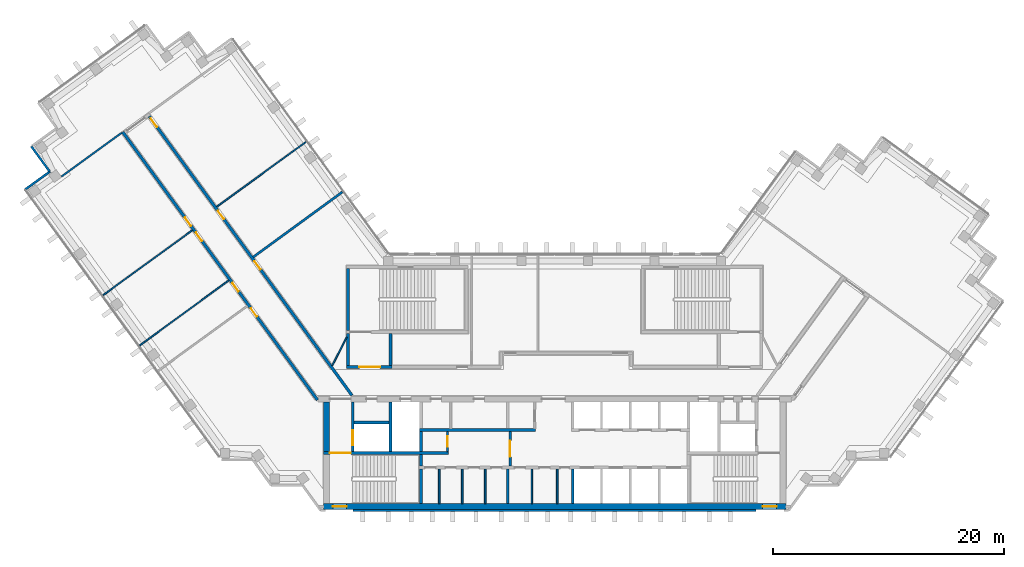
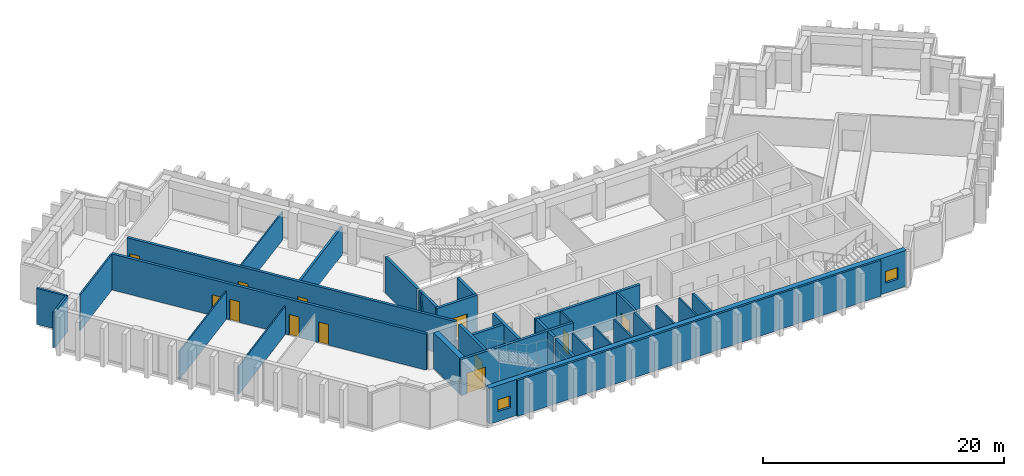
# One storey, part 4 of 9: 34 walls, 12 doors, 2 windows, 14 openings.
"""IFC4 building model written with IfcOpenShell, lengths in metres."""

from ifc_helpers import new_model, si_unit, direction, frame, frame_2d, origin, place, context, subcontext, project, spatial, rectangle, extrude, material, layer, layer_set, type_object, element, fill, save


model = new_model("IFC4")

# Units and contexts
model_context = context("Model", 3, precision=1e-05, world=origin(), true_north=direction((0.0, 1.0)))
body_context = subcontext(model_context, "Body", "Model", "MODEL_VIEW")
ifc_project = project(units=[si_unit("LENGTHUNIT", "METRE"), si_unit("AREAUNIT", "SQUARE_METRE"), si_unit("VOLUMEUNIT", "CUBIC_METRE"), si_unit("PLANEANGLEUNIT", "RADIAN"), si_unit("MASSUNIT", "GRAM", prefix="KILO")], contexts=[model_context])

# Site, building, storey
site_placement = place(None, origin())
site = spatial("IfcSite", under=ifc_project, at=site_placement, CompositionType="ELEMENT")
building_placement = place(site_placement, origin())
building = spatial("IfcBuilding", under=site, at=building_placement, Name="Quipu Civic Tower", CompositionType="ELEMENT")
storey_placement = place(building_placement, frame((0.0, 0.0, 194.0)))
storey = spatial("IfcBuildingStorey", under=building, at=storey_placement, Name="L45", CompositionType="ELEMENT", Elevation=194.0)

# Walls
ifc_material_1 = material(Name="Double gypsum plasterboard with mineral wool")
ifc_layer_1 = layer(ifc_material_1, 0.14990234375)
ifc_layer_set_1 = layer_set([ifc_layer_1], Name="Double gypsum plasterboard with mineral wool")
wall_type_1 = type_object("IfcWallType", Name="Acoustic partition 150 plasterboard", PredefinedType="PARTITIONING", material=ifc_layer_set_1)
wall_1_placement = place(storey_placement, frame((-42.69775390625, 17.809814453125, 0.0), z_axis=(0.0, 0.0, 1.0), x_axis=(0.80901688725, 0.587785399737, 0.0)))
element("IfcWall", 1, at=wall_1_placement, inside=storey, type_object=wall_type_1, Name="Partition P11", PredefinedType="PARTITIONING", context=body_context, shape_type="SweptSolid", body=[
    extrude(rectangle(XDim=6.464599609375, YDim=0.14990234375, at=frame_2d((3.232421875, 0.0))), origin(), (0.0, 0.0, 1.0), 3.64990234375),
])
ifc_material_2 = material(Name="Fired clay blockwork", Category="masonry")
ifc_layer_2 = layer(ifc_material_2, 0.199951171875)
ifc_layer_set_2 = layer_set([ifc_layer_2], Name="Fired clay blockwork")
wall_type_2 = type_object("IfcWallType", Name="Blockwork wall 200", PredefinedType="SOLIDWALL", material=ifc_layer_set_2)
wall_2_placement = place(storey_placement, frame((-26.089111328125, 10.847900390625, 0.0), z_axis=(0.0, 0.0, 1.0), x_axis=(0.807661302092, 0.589646691759, 0.0)))
element("IfcWall", 2, at=wall_2_placement, inside=storey, type_object=wall_type_2, Name="Partition P04", PredefinedType="SOLIDWALL", context=body_context, shape_type="SweptSolid", body=[
    extrude(rectangle(XDim=9.550048828125, YDim=0.199951171875, at=frame_2d((4.77490234375, 0.0))), origin(), (0.0, 0.0, 1.0), 2.85009765625),
])
ifc_material_3 = material(Name="Concrete C70/85", Category="concrete")
ifc_layer_3 = layer(ifc_material_3, 0.25)
ifc_layer_set_3 = layer_set([ifc_layer_3], Name="Concrete C70/85")
wall_type_3 = type_object("IfcWallType", Name="Core wall 250", PredefinedType="SHEAR", material=ifc_layer_set_3)
wall_3_placement = place(storey_placement, frame((-11.574951171875, -10.5, 0.0), z_axis=(0.0, 0.0, 1.0), x_axis=(0.0, 1.0, 0.0)))
element("IfcWall", 3, at=wall_3_placement, inside=storey, type_object=wall_type_3, Name="Core wall", PredefinedType="SHEAR", context=body_context, shape_type="SweptSolid", body=[
    extrude(rectangle(XDim=3.0, YDim=0.25, at=frame_2d((1.5, 0.0))), origin(), (0.0, 0.0, 1.0), 3.64990234375),
])
wall_4_placement = place(storey_placement, frame((-11.574951171875, -7.25, 0.0), z_axis=(0.0, 0.0, 1.0), x_axis=(0.0, 1.0, 0.0)))
element("IfcWall", 4, at=wall_4_placement, inside=storey, type_object=wall_type_3, Name="Core wall", PredefinedType="SHEAR", context=body_context, shape_type="SweptSolid", body=[
    extrude(rectangle(XDim=1.0, YDim=0.25, at=frame_2d((0.5, 0.0))), origin(), (0.0, 0.0, 1.0), 3.64990234375),
])

# Wall, opening, door
wall_5_placement = place(storey_placement, frame((-9.199951171875, -6.125, 0.0), z_axis=(0.0, 0.0, 1.0), x_axis=(-1.0, 0.0, 0.0)))
wall_5 = element("IfcWall", 5, at=wall_5_placement, inside=storey, type_object=wall_type_3, Name="Core wall", PredefinedType="SHEAR", context=body_context, shape_type="SweptSolid", body=[
    extrude(rectangle(XDim=10.800048828125, YDim=0.25, at=frame_2d((5.39990234375, 0.0))), origin(), (0.0, 0.0, 1.0), 3.64990234375),
])
opening_1_placement = place(wall_5_placement, frame((8.449951171875, 0.0, 0.0)))
opening_1 = element("IfcOpeningElement", 6, at=opening_1_placement, cuts=wall_5, Name="Opening CD-08", PredefinedType="OPENING", context=body_context, shape_type="SweptSolid", body=[
    extrude(rectangle(XDim=1.800048828125, YDim=2.10009765625, at=frame_2d((0.89990234375, 1.050048828125))), frame((0.0, 0.135009765625, 0.0), z_axis=(0.0, -1.0, 0.0), x_axis=(1.0, 0.0, 0.0)), (0.0, 0.0, 1.0), 0.27001953125),
])
ifc_material_4 = material(Name="Fire rated steel door", Category="steel")
door_type_1 = type_object("IfcDoorType", Name="Fire door FD90 double 1800 x 2100", OperationType="NOTDEFINED", PredefinedType="DOOR", material=ifc_material_4)
door_1_placement = place(opening_1_placement, origin())
door_1 = element("IfcDoor", 7, at=door_1_placement, inside=storey, type_object=door_type_1, Name="Door", OperationType="DOUBLE_DOOR_SINGLE_SWING", OverallHeight=2.10009765625, OverallWidth=1.800048828125, PredefinedType="DOOR", context=body_context, shape_type="SweptSolid", body=[
    extrude(rectangle(XDim=1.800048828125, YDim=2.10009765625, at=frame_2d((0.89990234375, 1.050048828125))), frame((0.0, 0.02490234375, 0.0), z_axis=(0.0, -1.0, 0.0), x_axis=(1.0, 0.0, 0.0)), (0.0, 0.0, 1.0), 0.050048828125),
])
fill(opening_1, door_1)

wall_6_placement = place(storey_placement, frame((-17.47509765625, -6.0, 0.0), z_axis=(0.0, 0.0, 1.0), x_axis=(0.0, 1.0, 0.0)))
wall_6 = element("IfcWall", 8, at=wall_6_placement, inside=storey, type_object=wall_type_3, Name="Core wall", PredefinedType="SHEAR", context=body_context, shape_type="SweptSolid", body=[
    extrude(rectangle(XDim=4.300048828125, YDim=0.25, at=frame_2d((2.14990234375, 0.0))), origin(), (0.0, 0.0, 1.0), 3.64990234375),
])
opening_2_placement = place(wall_6_placement, frame((0.550048828125, 0.0, 0.0)))
opening_2 = element("IfcOpeningElement", 9, at=opening_2_placement, cuts=wall_6, Name="Opening LD-FF1", PredefinedType="OPENING", context=body_context, shape_type="SweptSolid", body=[
    extrude(rectangle(XDim=1.300048828125, YDim=2.10009765625, at=frame_2d((0.64990234375, 1.050048828125))), frame((0.0, 0.135009765625, 0.0), z_axis=(0.0, -1.0, 0.0), x_axis=(1.0, 0.0, 0.0)), (0.0, 0.0, 1.0), 0.27001953125),
])
ifc_material_5 = material(Name="Stainless steel", Category="steel")
door_type_2 = type_object("IfcDoorType", Name="Lift landing door 1300 x 2100", OperationType="DOUBLE_DOOR_SLIDING", PredefinedType="DOOR", material=ifc_material_5)
door_2_placement = place(opening_2_placement, origin())
door_2 = element("IfcDoor", 10, at=door_2_placement, inside=storey, type_object=door_type_2, Name="Landing door FF1", OperationType="DOUBLE_DOOR_SLIDING", OverallHeight=2.10009765625, OverallWidth=1.300048828125, PredefinedType="DOOR", context=body_context, shape_type="SweptSolid", body=[
    extrude(rectangle(XDim=1.300048828125, YDim=2.10009765625, at=frame_2d((0.64990234375, 1.050048828125))), frame((0.0, 0.02490234375, 0.0), z_axis=(0.0, -1.0, 0.0), x_axis=(1.0, 0.0, 0.0)), (0.0, 0.0, 1.0), 0.050048828125),
])
fill(opening_2, door_2)

# Walls
wall_7_placement = place(storey_placement, frame((-14.22509765625, -6.0, 0.0), z_axis=(0.0, 0.0, 1.0), x_axis=(0.0, 1.0, 0.0)))
element("IfcWall", 11, at=wall_7_placement, inside=storey, type_object=wall_type_3, Name="Core wall", PredefinedType="SHEAR", context=body_context, shape_type="SweptSolid", body=[
    extrude(rectangle(XDim=4.300048828125, YDim=0.25, at=frame_2d((2.14990234375, 0.0))), origin(), (0.0, 0.0, 1.0), 3.64990234375),
])
wall_8_placement = place(storey_placement, frame((-11.574951171875, -6.0, 0.0), z_axis=(0.0, 0.0, 1.0), x_axis=(0.0, 1.0, 0.0)))
element("IfcWall", 12, at=wall_8_placement, inside=storey, type_object=wall_type_3, Name="Core wall", PredefinedType="SHEAR", context=body_context, shape_type="SweptSolid", body=[
    extrude(rectangle(XDim=1.75, YDim=0.25, at=frame_2d((0.875, 0.0))), origin(), (0.0, 0.0, 1.0), 3.64990234375),
])
wall_9_placement = place(storey_placement, frame((-11.699951171875, -4.125, 0.0), z_axis=(0.0, 0.0, 1.0), x_axis=(1.0, 0.0, 0.0)))
element("IfcWall", 13, at=wall_9_placement, inside=storey, type_object=wall_type_3, Name="Core wall", PredefinedType="SHEAR", context=body_context, shape_type="SweptSolid", body=[
    extrude(rectangle(XDim=10.050048828125, YDim=0.25, at=frame_2d((5.02490234375, 0.0))), origin(), (0.0, 0.0, 1.0), 3.64990234375),
])
wall_10_placement = place(storey_placement, frame((-17.35009765625, -3.47509765625, 0.0), z_axis=(0.0, 0.0, 1.0), x_axis=(1.0, 0.0, 0.0)))
element("IfcWall", 14, at=wall_10_placement, inside=storey, type_object=wall_type_3, Name="Core wall", PredefinedType="SHEAR", context=body_context, shape_type="SweptSolid", body=[
    extrude(rectangle(XDim=3.0, YDim=0.25, at=frame_2d((1.5, 0.0))), origin(), (0.0, 0.0, 1.0), 3.64990234375),
])

# Wall, opening, door
wall_11_placement = place(storey_placement, frame((-18.0, 1.324951171875, 0.0), z_axis=(0.0, 0.0, 1.0), x_axis=(1.0, 0.0, 0.0)))
wall_11 = element("IfcWall", 15, at=wall_11_placement, inside=storey, type_object=wall_type_3, Name="Core wall", PredefinedType="SHEAR", context=body_context, shape_type="SweptSolid", body=[
    extrude(rectangle(XDim=3.89990234375, YDim=0.25, at=frame_2d((1.949951171875, 0.0))), origin(), (0.0, 0.0, 1.0), 3.64990234375),
])
opening_3_placement = place(wall_11_placement, frame((1.10009765625, 0.0, 0.0)))
opening_3 = element("IfcOpeningElement", 16, at=opening_3_placement, cuts=wall_11, Name="Opening CD-23", PredefinedType="OPENING", context=body_context, shape_type="SweptSolid", body=[
    extrude(rectangle(XDim=1.800048828125, YDim=2.10009765625, at=frame_2d((0.89990234375, 1.050048828125))), frame((0.0, 0.135009765625, 0.0), z_axis=(0.0, -1.0, 0.0), x_axis=(1.0, 0.0, 0.0)), (0.0, 0.0, 1.0), 0.27001953125),
])
door_3_placement = place(opening_3_placement, origin())
door_3 = element("IfcDoor", 17, at=door_3_placement, inside=storey, type_object=door_type_1, Name="Lobby door", OperationType="DOUBLE_DOOR_SINGLE_SWING", OverallHeight=2.10009765625, OverallWidth=1.800048828125, PredefinedType="DOOR", context=body_context, shape_type="SweptSolid", body=[
    extrude(rectangle(XDim=1.800048828125, YDim=2.10009765625, at=frame_2d((0.89990234375, 1.050048828125))), frame((0.0, 0.02490234375, 0.0), z_axis=(0.0, -1.0, 0.0), x_axis=(1.0, 0.0, 0.0)), (0.0, 0.0, 1.0), 0.050048828125),
])
fill(opening_3, door_3)

# Walls
for number, where, z_axis, x_axis, name in (
    (18, (-17.875, 1.449951171875, 0.0), (0.0, 0.0, 1.0), (0.0, 1.0, 0.0), "Core wall"),
    (19, (-14.22509765625, 1.449951171875, 0.0), (0.0, 0.0, 1.0), (0.0, 1.0, 0.0), "Core wall"),
):
    element("IfcWall", number, at=place(storey_placement, frame(where, z_axis=z_axis, x_axis=x_axis)), inside=storey, type_object=wall_type_3, Name=name, PredefinedType="SHEAR", context=body_context, shape_type="SweptSolid", body=[
        extrude(rectangle(XDim=2.800048828125, YDim=0.25, at=frame_2d((1.39990234375, 0.0))), origin(), (0.0, 0.0, 1.0), 3.64990234375),
    ])
wall_12_placement = place(storey_placement, frame((-17.875, 4.5, 0.0), z_axis=(0.0, 0.0, 1.0), x_axis=(0.0, 1.0, 0.0)))
element("IfcWall", 20, at=wall_12_placement, inside=storey, type_object=wall_type_3, Name="Core wall", PredefinedType="SHEAR", context=body_context, shape_type="SweptSolid", body=[
    extrude(rectangle(XDim=5.35009765625, YDim=0.25, at=frame_2d((2.675048828125, 0.0))), origin(), (0.0, 0.0, 1.0), 3.64990234375),
])

# Wall, openings, windows
ifc_material_6 = material(Name="Concrete C70/85", Category="concrete")
ifc_layer_4 = layer(ifc_material_6, 0.5)
ifc_layer_set_4 = layer_set([ifc_layer_4], Name="Concrete C70/85")
wall_type_4 = type_object("IfcWallType", Name="Core wall 500", PredefinedType="SHEAR", material=ifc_layer_set_4)
wall_13_placement = place(storey_placement, frame((-20.0, -10.75, 0.0), z_axis=(0.0, 0.0, 1.0), x_axis=(1.0, 0.0, 0.0)))
wall_13 = element("IfcWall", 21, at=wall_13_placement, inside=storey, type_object=wall_type_4, Name="Core wall", PredefinedType="SHEAR", context=body_context, shape_type="SweptSolid", body=[
    extrude(rectangle(XDim=40.0, YDim=0.5, at=frame_2d((20.0, 0.0))), origin(), (0.0, 0.0, 1.0), 3.64990234375),
])
opening_4_placement = place(wall_13_placement, frame((0.800048828125, 0.0, 1.0)))
opening_4 = element("IfcOpeningElement", 22, at=opening_4_placement, cuts=wall_13, Name="Opening SV-1", PredefinedType="OPENING", context=body_context, shape_type="SweptSolid", body=[
    extrude(rectangle(XDim=1.199951171875, YDim=1.199951171875, at=frame_2d((0.60009765625, 0.60009765625))), frame((0.0, 0.260009765625, 0.0), z_axis=(0.0, -1.0, 0.0), x_axis=(1.0, 0.0, 0.0)), (0.0, 0.0, 1.0), 0.52001953125),
])
opening_5_placement = place(wall_13_placement, frame((38.0, 0.0, 1.0)))
opening_5 = element("IfcOpeningElement", 23, at=opening_5_placement, cuts=wall_13, Name="Opening SV-2", PredefinedType="OPENING", context=body_context, shape_type="SweptSolid", body=[
    extrude(rectangle(XDim=1.199951171875, YDim=1.199951171875, at=frame_2d((0.60009765625, 0.60009765625))), frame((0.0, 0.260009765625, 0.0), z_axis=(0.0, -1.0, 0.0), x_axis=(1.0, 0.0, 0.0)), (0.0, 0.0, 1.0), 0.52001953125),
])
ifc_material_7 = material(Name="Aluminium louvre", Category="aluminium")
window_type = type_object("IfcWindowType", Name="Stair ventilation louvre 1200 x 1200", PartitioningType="SINGLE_PANEL", PredefinedType="WINDOW", material=ifc_material_7)
window_1_placement = place(opening_4_placement, origin())
window_1 = element("IfcWindow", 24, at=window_1_placement, inside=storey, type_object=window_type, Name="Stair ventilation opening", OverallHeight=1.199951171875, OverallWidth=1.199951171875, PartitioningType="SINGLE_PANEL", PredefinedType="WINDOW", context=body_context, shape_type="SweptSolid", body=[
    extrude(rectangle(XDim=1.199951171875, YDim=1.199951171875, at=frame_2d((0.60009765625, 0.60009765625))), frame((0.0, 0.030029296875, 0.0), z_axis=(0.0, -1.0, 0.0), x_axis=(1.0, 0.0, 0.0)), (0.0, 0.0, 1.0), 0.06005859375),
])
fill(opening_4, window_1)
window_2_placement = place(opening_5_placement, origin())
window_2 = element("IfcWindow", 25, at=window_2_placement, inside=storey, type_object=window_type, Name="Stair ventilation opening", OverallHeight=1.199951171875, OverallWidth=1.199951171875, PartitioningType="SINGLE_PANEL", PredefinedType="WINDOW", context=body_context, shape_type="SweptSolid", body=[
    extrude(rectangle(XDim=1.199951171875, YDim=1.199951171875, at=frame_2d((0.60009765625, 0.60009765625))), frame((0.0, 0.030029296875, 0.0), z_axis=(0.0, -1.0, 0.0), x_axis=(1.0, 0.0, 0.0)), (0.0, 0.0, 1.0), 0.06005859375),
])
fill(opening_5, window_2)

# Wall
wall_14_placement = place(storey_placement, frame((-19.75, -6.0, 0.0), z_axis=(0.0, 0.0, 1.0), x_axis=(0.0, 1.0, 0.0)))
element("IfcWall", 26, at=wall_14_placement, inside=storey, type_object=wall_type_4, Name="Core wall", PredefinedType="SHEAR", context=body_context, shape_type="SweptSolid", body=[
    extrude(rectangle(XDim=4.300048828125, YDim=0.5, at=frame_2d((2.14990234375, 0.0))), origin(), (0.0, 0.0, 1.0), 3.64990234375),
])

# Wall, openings, doors
ifc_material_8 = material(Name="Concrete C50/60", Category="concrete")
ifc_layer_5 = layer(ifc_material_8, 0.25)
ifc_layer_set_5 = layer_set([ifc_layer_5], Name="Concrete C50/60")
wall_type_5 = type_object("IfcWallType", Name="Corridor wall 250 concrete", PredefinedType="SOLIDWALL", material=ifc_layer_set_5)
wall_15_placement = place(storey_placement, frame((-20.531005859375, -1.5234375, 0.0), z_axis=(0.0, 0.0, 1.0), x_axis=(-0.587785812891, 0.809016587076, 0.0)))
wall_15 = element("IfcWall", 27, at=wall_15_placement, inside=storey, type_object=wall_type_5, Name="Corridor wall C04", PredefinedType="SOLIDWALL", context=body_context, shape_type="SweptSolid", body=[
    extrude(rectangle(XDim=28.67041015625, YDim=0.25, at=frame_2d((14.335205078125, 0.0))), origin(), (0.0, 0.0, 1.0), 3.64990234375),
])
opening_6_placement = place(wall_15_placement, frame((17.015380859375, 0.0, 0.0)))
opening_6 = element("IfcOpeningElement", 28, at=opening_6_placement, cuts=wall_15, Name="Opening D011", PredefinedType="OPENING", context=body_context, shape_type="SweptSolid", body=[
    extrude(rectangle(XDim=0.89990234375, YDim=2.10009765625, at=frame_2d((0.449951171875, 1.050048828125))), frame((0.0, 0.135009765625, 0.0), z_axis=(0.0, -1.0, 0.0), x_axis=(1.0, 0.0, 0.0)), (0.0, 0.0, 1.0), 0.27001953125),
])
opening_7_placement = place(wall_15_placement, frame((8.91552734375, 0.0, 0.0)))
opening_7 = element("IfcOpeningElement", 29, at=opening_7_placement, cuts=wall_15, Name="Opening D013", PredefinedType="OPENING", context=body_context, shape_type="SweptSolid", body=[
    extrude(rectangle(XDim=0.89990234375, YDim=2.10009765625, at=frame_2d((0.449951171875, 1.050048828125))), frame((0.0, 0.135009765625, 0.0), z_axis=(0.0, -1.0, 0.0), x_axis=(1.0, 0.0, 0.0)), (0.0, 0.0, 1.0), 0.27001953125),
])
opening_8_placement = place(wall_15_placement, frame((18.6162109375, 0.0, 0.0)))
opening_8 = element("IfcOpeningElement", 30, at=opening_8_placement, cuts=wall_15, Name="Opening D010", PredefinedType="OPENING", context=body_context, shape_type="SweptSolid", body=[
    extrude(rectangle(XDim=0.89990234375, YDim=2.10009765625, at=frame_2d((0.449951171875, 1.050048828125))), frame((0.0, 0.135009765625, 0.0), z_axis=(0.0, -1.0, 0.0), x_axis=(1.0, 0.0, 0.0)), (0.0, 0.0, 1.0), 0.27001953125),
])
opening_9_placement = place(wall_15_placement, frame((11.615234375, 0.0, 0.0)))
opening_9 = element("IfcOpeningElement", 31, at=opening_9_placement, cuts=wall_15, Name="Opening D012", PredefinedType="OPENING", context=body_context, shape_type="SweptSolid", body=[
    extrude(rectangle(XDim=0.89990234375, YDim=2.10009765625, at=frame_2d((0.449951171875, 1.050048828125))), frame((0.0, 0.135009765625, 0.0), z_axis=(0.0, -1.0, 0.0), x_axis=(1.0, 0.0, 0.0)), (0.0, 0.0, 1.0), 0.27001953125),
])
ifc_material_9 = material(Name="Fire rated timber door set with metal frame", Category="wood")
door_type_3 = type_object("IfcDoorType", Name="Single door 900 x 2100 FD60", OperationType="NOTDEFINED", PredefinedType="DOOR", material=ifc_material_9)
door_4_placement = place(opening_6_placement, origin())
door_4 = element("IfcDoor", 32, at=door_4_placement, inside=storey, type_object=door_type_3, Name="Door D011", OperationType="SINGLE_SWING_RIGHT", OverallHeight=2.10009765625, OverallWidth=0.89990234375, PredefinedType="DOOR", context=body_context, shape_type="SweptSolid", body=[
    extrude(rectangle(XDim=0.89990234375, YDim=2.10009765625, at=frame_2d((0.449951171875, 1.050048828125))), frame((0.0, 0.02490234375, 0.0), z_axis=(0.0, -1.0, 0.0), x_axis=(1.0, 0.0, 0.0)), (0.0, 0.0, 1.0), 0.050048828125),
])
fill(opening_6, door_4)
door_5_placement = place(opening_7_placement, origin())
door_5 = element("IfcDoor", 33, at=door_5_placement, inside=storey, type_object=door_type_3, Name="Door D013", OperationType="SINGLE_SWING_RIGHT", OverallHeight=2.10009765625, OverallWidth=0.89990234375, PredefinedType="DOOR", context=body_context, shape_type="SweptSolid", body=[
    extrude(rectangle(XDim=0.89990234375, YDim=2.10009765625, at=frame_2d((0.449951171875, 1.050048828125))), frame((0.0, 0.02490234375, 0.0), z_axis=(0.0, -1.0, 0.0), x_axis=(1.0, 0.0, 0.0)), (0.0, 0.0, 1.0), 0.050048828125),
])
fill(opening_7, door_5)
door_6_placement = place(opening_8_placement, origin())
door_6 = element("IfcDoor", 34, at=door_6_placement, inside=storey, type_object=door_type_3, Name="Door D010", OperationType="SINGLE_SWING_LEFT", OverallHeight=2.10009765625, OverallWidth=0.89990234375, PredefinedType="DOOR", context=body_context, shape_type="SweptSolid", body=[
    extrude(rectangle(XDim=0.89990234375, YDim=2.10009765625, at=frame_2d((0.449951171875, 1.050048828125))), frame((0.0, 0.02490234375, 0.0), z_axis=(0.0, -1.0, 0.0), x_axis=(1.0, 0.0, 0.0)), (0.0, 0.0, 1.0), 0.050048828125),
])
fill(opening_8, door_6)
door_7_placement = place(opening_9_placement, origin())
door_7 = element("IfcDoor", 35, at=door_7_placement, inside=storey, type_object=door_type_3, Name="Door D012", OperationType="SINGLE_SWING_RIGHT", OverallHeight=2.10009765625, OverallWidth=0.89990234375, PredefinedType="DOOR", context=body_context, shape_type="SweptSolid", body=[
    extrude(rectangle(XDim=0.89990234375, YDim=2.10009765625, at=frame_2d((0.449951171875, 1.050048828125))), frame((0.0, 0.02490234375, 0.0), z_axis=(0.0, -1.0, 0.0), x_axis=(1.0, 0.0, 0.0)), (0.0, 0.0, 1.0), 0.050048828125),
])
fill(opening_9, door_7)

wall_16_placement = place(storey_placement, frame((-35.092041015625, 23.02685546875, 0.0), z_axis=(0.0, 0.0, 1.0), x_axis=(0.587784076945, -0.809017848313, 0.0)))
wall_16 = element("IfcWall", 36, at=wall_16_placement, inside=storey, type_object=wall_type_5, Name="Corridor wall C06", PredefinedType="SOLIDWALL", context=body_context, shape_type="SweptSolid", body=[
    extrude(rectangle(XDim=29.85302734375, YDim=0.25, at=frame_2d((14.926513671875, 0.0))), origin(), (0.0, 0.0, 1.0), 3.64990234375),
])
opening_10_placement = place(wall_16_placement, frame((10.094970703125, 0.0, 0.0)))
opening_10 = element("IfcOpeningElement", 37, at=opening_10_placement, cuts=wall_16, Name="Opening D008", PredefinedType="OPENING", context=body_context, shape_type="SweptSolid", body=[
    extrude(rectangle(XDim=0.89990234375, YDim=2.10009765625, at=frame_2d((0.449951171875, 1.050048828125))), frame((0.0, 0.135009765625, 0.0), z_axis=(0.0, -1.0, 0.0), x_axis=(1.0, 0.0, 0.0)), (0.0, 0.0, 1.0), 0.27001953125),
])
opening_11_placement = place(wall_16_placement, frame((15.495361328125, 0.0, 0.0)))
opening_11 = element("IfcOpeningElement", 38, at=opening_11_placement, cuts=wall_16, Name="Opening D009", PredefinedType="OPENING", context=body_context, shape_type="SweptSolid", body=[
    extrude(rectangle(XDim=0.89990234375, YDim=2.10009765625, at=frame_2d((0.449951171875, 1.050048828125))), frame((0.0, 0.135009765625, 0.0), z_axis=(0.0, -1.0, 0.0), x_axis=(1.0, 0.0, 0.0)), (0.0, 0.0, 1.0), 0.27001953125),
])
opening_12_placement = place(wall_16_placement, frame((0.223876953125, 0.0, 0.0)))
opening_12 = element("IfcOpeningElement", 39, at=opening_12_placement, cuts=wall_16, Name="Opening D007", PredefinedType="OPENING", context=body_context, shape_type="SweptSolid", body=[
    extrude(rectangle(XDim=0.89990234375, YDim=2.10009765625, at=frame_2d((0.449951171875, 1.050048828125))), frame((0.0, 0.135009765625, 0.0), z_axis=(0.0, -1.0, 0.0), x_axis=(1.0, 0.0, 0.0)), (0.0, 0.0, 1.0), 0.27001953125),
])
door_8_placement = place(opening_10_placement, origin())
door_8 = element("IfcDoor", 40, at=door_8_placement, inside=storey, type_object=door_type_3, Name="Door D008", OperationType="SINGLE_SWING_LEFT", OverallHeight=2.10009765625, OverallWidth=0.89990234375, PredefinedType="DOOR", context=body_context, shape_type="SweptSolid", body=[
    extrude(rectangle(XDim=0.89990234375, YDim=2.10009765625, at=frame_2d((0.449951171875, 1.050048828125))), frame((0.0, 0.02490234375, 0.0), z_axis=(0.0, -1.0, 0.0), x_axis=(1.0, 0.0, 0.0)), (0.0, 0.0, 1.0), 0.050048828125),
])
fill(opening_10, door_8)
door_9_placement = place(opening_11_placement, origin())
door_9 = element("IfcDoor", 41, at=door_9_placement, inside=storey, type_object=door_type_3, Name="Door D009", OperationType="SINGLE_SWING_LEFT", OverallHeight=2.10009765625, OverallWidth=0.89990234375, PredefinedType="DOOR", context=body_context, shape_type="SweptSolid", body=[
    extrude(rectangle(XDim=0.89990234375, YDim=2.10009765625, at=frame_2d((0.449951171875, 1.050048828125))), frame((0.0, 0.02490234375, 0.0), z_axis=(0.0, -1.0, 0.0), x_axis=(1.0, 0.0, 0.0)), (0.0, 0.0, 1.0), 0.050048828125),
])
fill(opening_11, door_9)
door_10_placement = place(opening_12_placement, origin())
door_10 = element("IfcDoor", 42, at=door_10_placement, inside=storey, type_object=door_type_3, Name="Door D007", OperationType="SINGLE_SWING_LEFT", OverallHeight=2.10009765625, OverallWidth=0.89990234375, PredefinedType="DOOR", context=body_context, shape_type="SweptSolid", body=[
    extrude(rectangle(XDim=0.89990234375, YDim=2.10009765625, at=frame_2d((0.449951171875, 1.050048828125))), frame((0.0, 0.02490234375, 0.0), z_axis=(0.0, -1.0, 0.0), x_axis=(1.0, 0.0, 0.0)), (0.0, 0.0, 1.0), 0.050048828125),
])
fill(opening_12, door_10)

# Walls
ifc_material_10 = material(Name="Gypsum plasterboard on light gauge framing")
ifc_layer_6 = layer(ifc_material_10, 0.1201171875)
ifc_layer_set_6 = layer_set([ifc_layer_6], Name="Gypsum plasterboard on light gauge framing")
wall_type_6 = type_object("IfcWallType", Name="Partition 120 plasterboard", PredefinedType="PARTITIONING", material=ifc_layer_set_6)
wall_17_placement = place(storey_placement, frame((-21.525146484375, 20.8134765625, 0.0), z_axis=(0.0, 0.0, 1.0), x_axis=(-0.808994684961, -0.587815957341, 0.0)))
element("IfcWall", 43, at=wall_17_placement, inside=storey, type_object=wall_type_6, Name="Partition P05", PredefinedType="PARTITIONING", context=body_context, shape_type="SweptSolid", body=[
    extrude(rectangle(XDim=9.55029296875, YDim=0.1201171875, at=frame_2d((4.775146484375, 0.0))), origin(), (0.0, 0.0, 1.0), 2.85009765625),
])
wall_18_placement = place(storey_placement, frame((-31.356201171875, 13.163818359375, 0.0), z_axis=(0.0, 0.0, 1.0), x_axis=(-0.809102944047, -0.587666934526, 0.0)))
element("IfcWall", 44, at=wall_18_placement, inside=storey, type_object=wall_type_6, Name="Partition P07", PredefinedType="PARTITIONING", context=body_context, shape_type="SweptSolid", body=[
    extrude(rectangle(XDim=9.550048828125, YDim=0.1201171875, at=frame_2d((4.77490234375, 0.0))), origin(), (0.0, 0.0, 1.0), 2.85009765625),
])
wall_19_placement = place(storey_placement, frame((-35.919189453125, 3.196533203125, 0.0), z_axis=(0.0, 0.0, 1.0), x_axis=(0.807645841498, 0.589667868135, 0.0)))
element("IfcWall", 45, at=wall_19_placement, inside=storey, type_object=wall_type_6, Name="Partition P08", PredefinedType="PARTITIONING", context=body_context, shape_type="SweptSolid", body=[
    extrude(rectangle(XDim=9.550537109375, YDim=0.1201171875, at=frame_2d((4.775390625, 0.0))), origin(), (0.0, 0.0, 1.0), 2.85009765625),
])
wall_20_placement = place(storey_placement, frame((-19.260986328125, 1.449951171875, 0.0), z_axis=(0.0, 0.0, 1.0), x_axis=(0.453950796792, 0.891026752736, 0.0)))
element("IfcWall", 46, at=wall_20_placement, inside=storey, type_object=wall_type_6, Name="Partition P13", PredefinedType="PARTITIONING", context=body_context, shape_type="SweptSolid", body=[
    extrude(rectangle(XDim=2.77783203125, YDim=0.1201171875, at=frame_2d((1.388916015625, 0.0))), origin(), (0.0, 0.0, 1.0), 3.64990234375),
])
ifc_material_11 = material(Name="Gypsum board partition")
ifc_layer_7 = layer(ifc_material_11, 0.14990234375)
ifc_layer_set_7 = layer_set([ifc_layer_7], Name="Gypsum board partition")
wall_type_7 = type_object("IfcWallType", Name="Partition 150", PredefinedType="PARTITIONING", material=ifc_layer_set_7)
for number, where, z_axis, x_axis, name in (
    (47, (-10.0, -10.5, 0.0), (0.0, 0.0, 1.0), (0.0, 1.0, 0.0), "Partition"),
    (48, (-8.0, -10.5, 0.0), (0.0, 0.0, 1.0), (0.0, 1.0, 0.0), "Partition"),
    (49, (-6.0, -10.5, 0.0), (0.0, 0.0, 1.0), (0.0, 1.0, 0.0), "Partition"),
    (50, (-1.97509765625, -10.5, 0.0), (0.0, 0.0, 1.0), (0.0, 1.0, 0.0), "Partition"),
    (51, (0.22509765625, -10.5, 0.0), (0.0, 0.0, 1.0), (0.0, 1.0, 0.0), "Partition"),
):
    element("IfcWall", number, at=place(storey_placement, frame(where, z_axis=z_axis, x_axis=x_axis)), inside=storey, type_object=wall_type_7, Name=name, PredefinedType="PARTITIONING", context=body_context, shape_type="SweptSolid", body=[
        extrude(rectangle(XDim=3.0, YDim=0.14990234375, at=frame_2d((1.5, 0.0))), origin(), (0.0, 0.0, 1.0), 3.64990234375),
    ])

# Wall, opening, door
wall_21_placement = place(storey_placement, frame((-9.27490234375, -4.25, 0.0), z_axis=(0.0, 0.0, 1.0), x_axis=(0.0, -1.0, 0.0)))
wall_21 = element("IfcWall", 52, at=wall_21_placement, inside=storey, type_object=wall_type_7, Name="Partition", PredefinedType="PARTITIONING", context=body_context, shape_type="SweptSolid", body=[
    extrude(rectangle(XDim=1.75, YDim=0.14990234375, at=frame_2d((0.875, 0.0))), origin(), (0.0, 0.0, 1.0), 3.64990234375),
])
opening_13_placement = place(wall_21_placement, frame((0.39990234375, 0.0, 0.0)))
opening_13 = element("IfcOpeningElement", 53, at=opening_13_placement, cuts=wall_21, Name="Opening CD-11", PredefinedType="OPENING", context=body_context, shape_type="SweptSolid", body=[
    extrude(rectangle(XDim=0.89990234375, YDim=2.10009765625, at=frame_2d((0.449951171875, 1.050048828125))), frame((0.0, 0.0849609375, 0.0), z_axis=(0.0, -1.0, 0.0), x_axis=(1.0, 0.0, 0.0)), (0.0, 0.0, 1.0), 0.169921875),
])
ifc_material_12 = material(Name="Fire rated steel door", Category="steel")
door_type_4 = type_object("IfcDoorType", Name="Fire door FD60 900 x 2100", OperationType="NOTDEFINED", PredefinedType="DOOR", material=ifc_material_12)
door_11_placement = place(opening_13_placement, origin())
door_11 = element("IfcDoor", 54, at=door_11_placement, inside=storey, type_object=door_type_4, Name="Door", OperationType="SINGLE_SWING_LEFT", OverallHeight=2.10009765625, OverallWidth=0.89990234375, PredefinedType="DOOR", context=body_context, shape_type="SweptSolid", body=[
    extrude(rectangle(XDim=0.89990234375, YDim=2.10009765625, at=frame_2d((0.449951171875, 1.050048828125))), frame((0.0, 0.02490234375, 0.0), z_axis=(0.0, -1.0, 0.0), x_axis=(1.0, 0.0, 0.0)), (0.0, 0.0, 1.0), 0.050048828125),
])
fill(opening_13, door_11)

# Walls
ifc_material_13 = material(Name="Precast concrete C40/50", Category="concrete")
wall_type_8 = type_object("IfcWallType", Name="Precast cladding wall", PredefinedType="SOLIDWALL", material=ifc_material_13)
for number, where, z_axis, x_axis, name in (
    (55, (-45.29638671875, 20.43359375, 0.0), (0.0, 0.0, 1.0), (0.587762999008, -0.809033161865, 0.0), "Precast cladding wall L45 25"),
    (56, (-43.658203125, 18.271728515625, 0.0), (0.0, 0.0, 1.0), (-0.808958916286, -0.58786518162, 0.0), "Precast cladding wall L45 26"),
):
    element("IfcWall", number, at=place(storey_placement, frame(where, z_axis=z_axis, x_axis=x_axis)), inside=storey, type_object=wall_type_8, Name=name, PredefinedType="SOLIDWALL", context=body_context, shape_type="SweptSolid", body=[
        extrude(rectangle(XDim=2.699951171875, YDim=0.199951171875, at=frame_2d((1.35009765625, 0.0))), origin(), (0.0, 0.0, 1.0), 3.64990234375),
    ])
wall_22_placement = place(storey_placement, frame((-17.44384765625, -11.087890625, 0.0), z_axis=(0.0, 0.0, 1.0), x_axis=(1.0, 0.0, 0.0)))
element("IfcWall", 57, at=wall_22_placement, inside=storey, type_object=wall_type_8, Name="Precast cladding wall L45 33", PredefinedType="SOLIDWALL", context=body_context, shape_type="SweptSolid", body=[
    extrude(rectangle(XDim=34.8876953125, YDim=0.199951171875, at=frame_2d((17.44384765625, 0.0))), origin(), (0.0, 0.0, 1.0), 3.64990234375),
])
ifc_material_14 = material(Name="Concrete C40/50", Category="concrete")
ifc_layer_8 = layer(ifc_material_14, 0.199951171875)
ifc_layer_set_8 = layer_set([ifc_layer_8], Name="Concrete C40/50")
wall_type_9 = type_object("IfcWallType", Name="Shaft wall 200", PredefinedType="SOLIDWALL", material=ifc_layer_set_8)
for number, where, z_axis, x_axis, name in (
    (58, (-4.050048828125, -10.5, 0.0), (0.0, 0.0, 1.0), (0.0, 1.0, 0.0), "Shaft wall"),
    (59, (1.550048828125, -10.5, 0.0), (0.0, 0.0, 1.0), (0.0, 1.0, 0.0), "Shaft wall"),
):
    element("IfcWall", number, at=place(storey_placement, frame(where, z_axis=z_axis, x_axis=x_axis)), inside=storey, type_object=wall_type_9, Name=name, PredefinedType="SOLIDWALL", context=body_context, shape_type="SweptSolid", body=[
        extrude(rectangle(XDim=3.0, YDim=0.199951171875, at=frame_2d((1.5, 0.0))), origin(), (0.0, 0.0, 1.0), 3.64990234375),
    ])

# Wall, opening, door
wall_23_placement = place(storey_placement, frame((-3.85009765625, -4.25, 0.0), z_axis=(0.0, 0.0, 1.0), x_axis=(0.0, -1.0, 0.0)))
wall_23 = element("IfcWall", 60, at=wall_23_placement, inside=storey, type_object=wall_type_9, Name="Shaft wall", PredefinedType="SOLIDWALL", context=body_context, shape_type="SweptSolid", body=[
    extrude(rectangle(XDim=3.0, YDim=0.199951171875, at=frame_2d((1.5, 0.0))), origin(), (0.0, 0.0, 1.0), 3.64990234375),
])
opening_14_placement = place(wall_23_placement, frame((0.800048828125, 0.0, 0.0)))
opening_14 = element("IfcOpeningElement", 61, at=opening_14_placement, cuts=wall_23, Name="Opening CD-10", PredefinedType="OPENING", context=body_context, shape_type="SweptSolid", body=[
    extrude(rectangle(XDim=1.39990234375, YDim=2.10009765625, at=frame_2d((0.699951171875, 1.050048828125))), frame((0.0, 0.10986328125, 0.0), z_axis=(0.0, -1.0, 0.0), x_axis=(1.0, 0.0, 0.0)), (0.0, 0.0, 1.0), 0.219970703125),
])
ifc_material_15 = material(Name="Fire rated steel door", Category="steel")
door_type_5 = type_object("IfcDoorType", Name="Fire door FD60 double 1400 x 2100", OperationType="NOTDEFINED", PredefinedType="DOOR", material=ifc_material_15)
door_12_placement = place(opening_14_placement, origin())
door_12 = element("IfcDoor", 62, at=door_12_placement, inside=storey, type_object=door_type_5, Name="Hall door", OperationType="DOUBLE_DOOR_SINGLE_SWING", OverallHeight=2.10009765625, OverallWidth=1.39990234375, PredefinedType="DOOR", context=body_context, shape_type="SweptSolid", body=[
    extrude(rectangle(XDim=1.39990234375, YDim=2.10009765625, at=frame_2d((0.699951171875, 1.050048828125))), frame((0.0, 0.02490234375, 0.0), z_axis=(0.0, -1.0, 0.0), x_axis=(1.0, 0.0, 0.0)), (0.0, 0.0, 1.0), 0.050048828125),
])
fill(opening_14, door_12)

save(model, "model.ifc")
